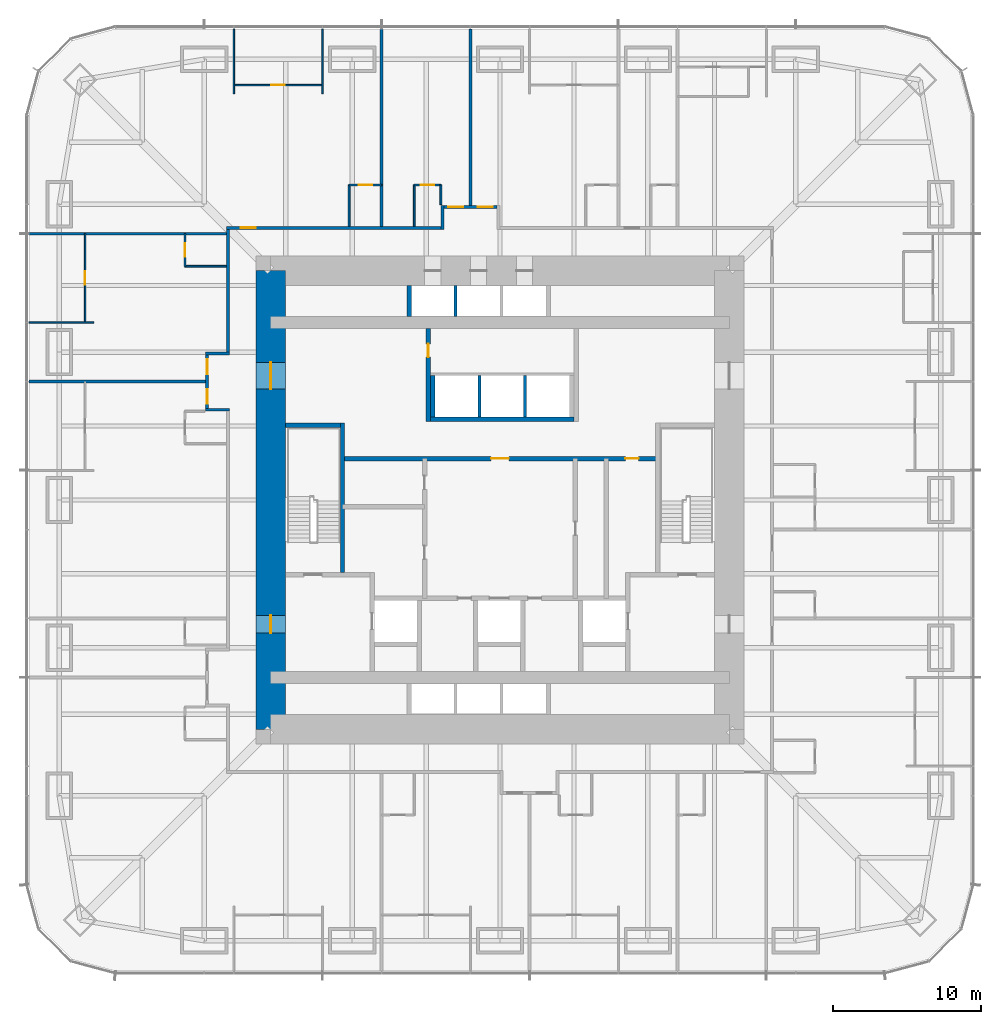
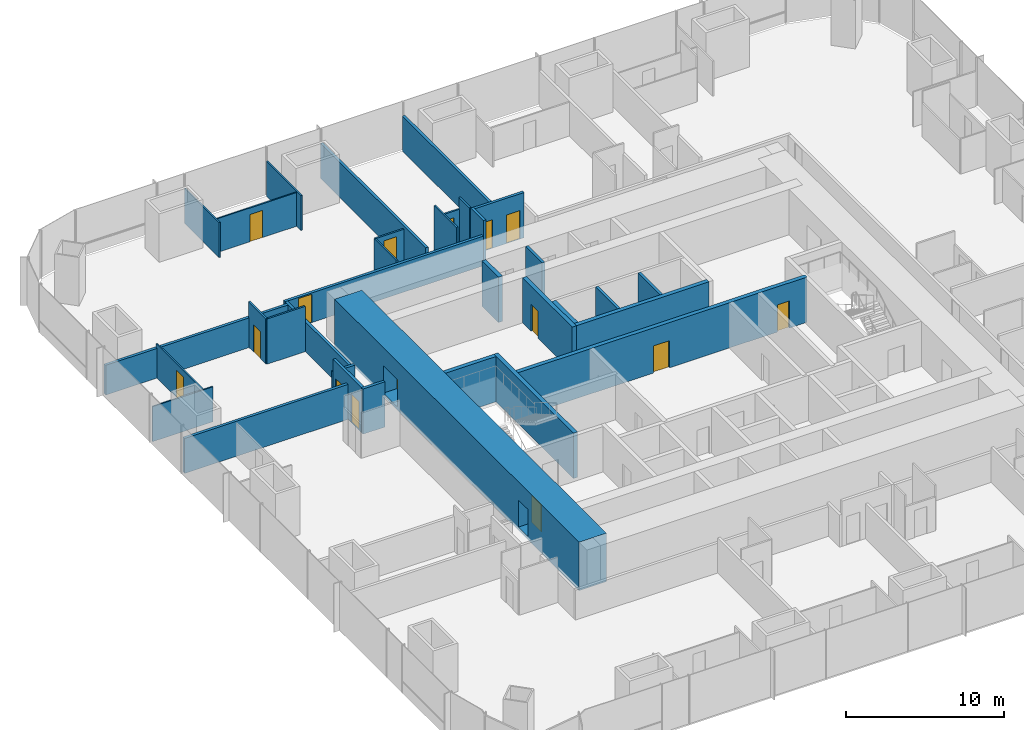
# One storey, part 17 of 20: 34 walls, 15 doors, 15 openings.
"""IFC4 building model written with IfcOpenShell, lengths in metres."""

from ifc_helpers import new_model, si_unit, direction, frame, frame_2d, origin, place, context, subcontext, project, spatial, rectangle, extrude, material, layer, layer_set, type_object, element, fill, save


model = new_model("IFC4")

# Units and contexts
model_context = context("Model", 3, precision=1e-05, world=origin(), true_north=direction((0.0, 1.0)))
body_context = subcontext(model_context, "Body", "Model", "MODEL_VIEW")
ifc_project = project(units=[si_unit("LENGTHUNIT", "METRE"), si_unit("AREAUNIT", "SQUARE_METRE"), si_unit("VOLUMEUNIT", "CUBIC_METRE"), si_unit("PLANEANGLEUNIT", "RADIAN"), si_unit("MASSUNIT", "GRAM", prefix="KILO")], contexts=[model_context])

# Site, building, storey
site_placement = place(None, origin())
site = spatial("IfcSite", under=ifc_project, at=site_placement, CompositionType="ELEMENT")
building_placement = place(site_placement, origin())
building = spatial("IfcBuilding", under=site, at=building_placement, Name="Khuree Lantern Residences", CompositionType="ELEMENT")
storey_placement = place(building_placement, frame((0.0, 0.0, 28.5)))
storey = spatial("IfcBuildingStorey", under=building, at=storey_placement, Name="L06", CompositionType="ELEMENT", Elevation=28.5)

# Wall, opening, door
ifc_material_1 = material(Name="Moisture-resistant gypsum board on steel studs", Category="steel")
ifc_layer_1 = layer(ifc_material_1, 0.125)
ifc_layer_set_1 = layer_set([ifc_layer_1], Name="BATHROOM WALL BTW125")
wall_type_1 = type_object("IfcWallType", Name="BATHROOM WALL BTW125", PredefinedType="PARTITIONING", material=ifc_layer_set_1)
wall_1_placement = place(storey_placement, frame((-4.0, 21.300048828125, 0.0), z_axis=(0.0, 0.0, 1.0), x_axis=(-1.0, 0.0, 0.0)))
wall_1 = element("IfcWall", 1, at=wall_1_placement, inside=storey, type_object=wall_type_1, Name="L06 BATHROOM WALL 05", PredefinedType="PARTITIONING", context=body_context, shape_type="SweptSolid", body=[
    extrude(rectangle(XDim=1.800048828125, YDim=0.125, at=frame_2d((0.89990234375, 0.0))), origin(), (0.0, 0.0, 1.0), 2.610107421875),
])
opening_1_placement = place(wall_1_placement, frame((0.449951171875, 0.0, 0.0)))
opening_1 = element("IfcOpeningElement", 2, at=opening_1_placement, cuts=wall_1, Name="Opening 06-036", PredefinedType="OPENING", context=body_context, shape_type="SweptSolid", body=[
    extrude(rectangle(XDim=0.89990234375, YDim=2.10009765625, at=frame_2d((0.449951171875, 1.050048828125))), frame((0.0, 0.072509765625, 0.0), z_axis=(0.0, -1.0, 0.0), x_axis=(1.0, 0.0, 0.0)), (0.0, 0.0, 1.0), 0.14501953125),
])
ifc_material_2 = material(Name="Timber door leaf in hardwood frame", Category="wood")
door_type_1 = type_object("IfcDoorType", Name="BATHROOM DOOR 900X2100", OperationType="SINGLE_SWING_LEFT", PredefinedType="DOOR", material=ifc_material_2)
door_1_placement = place(opening_1_placement, origin())
door_1 = element("IfcDoor", 3, at=door_1_placement, inside=storey, type_object=door_type_1, Name="Bathroom door 06-036", OperationType="SINGLE_SWING_LEFT", OverallHeight=2.10009765625, OverallWidth=0.89990234375, PredefinedType="DOOR", context=body_context, shape_type="SweptSolid", body=[
    extrude(rectangle(XDim=0.89990234375, YDim=2.10009765625, at=frame_2d((0.449951171875, 1.050048828125))), frame((0.0, 0.02490234375, 0.0), z_axis=(0.0, -1.0, 0.0), x_axis=(1.0, 0.0, 0.0)), (0.0, 0.0, 1.0), 0.050048828125),
])
fill(opening_1, door_1)

# Walls
wall_2_placement = place(storey_placement, frame((-4.0, 19.969970703125, 0.0), z_axis=(0.0, 0.0, 1.0), x_axis=(0.0, 1.0, 0.0)))
element("IfcWall", 4, at=wall_2_placement, inside=storey, type_object=wall_type_1, Name="L06 BATHROOM WALL 05", PredefinedType="PARTITIONING", context=body_context, shape_type="SweptSolid", body=[
    extrude(rectangle(XDim=1.330078125, YDim=0.125, at=frame_2d((0.6650390625, 0.0))), origin(), (0.0, 0.0, 1.0), 3.5),
])
wall_3_placement = place(storey_placement, frame((-5.800048828125, 18.5, 0.0), z_axis=(0.0, 0.0, 1.0), x_axis=(0.0, 1.0, 0.0)))
element("IfcWall", 5, at=wall_3_placement, inside=storey, type_object=wall_type_1, Name="L06 BATHROOM WALL 05", PredefinedType="PARTITIONING", context=body_context, shape_type="SweptSolid", body=[
    extrude(rectangle(XDim=2.800048828125, YDim=0.125, at=frame_2d((1.39990234375, 0.0))), origin(), (0.0, 0.0, 1.0), 3.5),
])

# Wall, opening, door
wall_4_placement = place(storey_placement, frame((-8.0, 21.300048828125, 0.0), z_axis=(0.0, 0.0, 1.0), x_axis=(-1.0, 0.0, 0.0)))
wall_4 = element("IfcWall", 6, at=wall_4_placement, inside=storey, type_object=wall_type_1, Name="L06 BATHROOM WALL 06", PredefinedType="PARTITIONING", context=body_context, shape_type="SweptSolid", body=[
    extrude(rectangle(XDim=2.199951171875, YDim=0.125, at=frame_2d((1.10009765625, 0.0))), origin(), (0.0, 0.0, 1.0), 2.491943359375),
])
opening_2_placement = place(wall_4_placement, frame((0.64990234375, 0.0, 0.0)))
opening_2 = element("IfcOpeningElement", 7, at=opening_2_placement, cuts=wall_4, Name="Opening 06-039", PredefinedType="OPENING", context=body_context, shape_type="SweptSolid", body=[
    extrude(rectangle(XDim=0.89990234375, YDim=2.10009765625, at=frame_2d((0.449951171875, 1.050048828125))), frame((0.0, 0.072509765625, 0.0), z_axis=(0.0, -1.0, 0.0), x_axis=(1.0, 0.0, 0.0)), (0.0, 0.0, 1.0), 0.14501953125),
])
door_2_placement = place(opening_2_placement, origin())
door_2 = element("IfcDoor", 8, at=door_2_placement, inside=storey, type_object=door_type_1, Name="Bathroom door 06-039", OperationType="SINGLE_SWING_LEFT", OverallHeight=2.10009765625, OverallWidth=0.89990234375, PredefinedType="DOOR", context=body_context, shape_type="SweptSolid", body=[
    extrude(rectangle(XDim=0.89990234375, YDim=2.10009765625, at=frame_2d((0.449951171875, 1.050048828125))), frame((0.0, 0.02490234375, 0.0), z_axis=(0.0, -1.0, 0.0), x_axis=(1.0, 0.0, 0.0)), (0.0, 0.0, 1.0), 0.050048828125),
])
fill(opening_2, door_2)

# Wall
wall_5_placement = place(storey_placement, frame((-10.199951171875, 18.5, 0.0), z_axis=(0.0, 0.0, 1.0), x_axis=(0.0, 1.0, 0.0)))
element("IfcWall", 9, at=wall_5_placement, inside=storey, type_object=wall_type_1, Name="L06 BATHROOM WALL 06", PredefinedType="PARTITIONING", context=body_context, shape_type="SweptSolid", body=[
    extrude(rectangle(XDim=2.800048828125, YDim=0.125, at=frame_2d((1.39990234375, 0.0))), origin(), (0.0, 0.0, 1.0), 2.491943359375),
])

# Wall, opening, door
wall_6_placement = place(storey_placement, frame((-21.300048828125, 18.0, 0.0), z_axis=(0.0, 0.0, 1.0), x_axis=(0.0, -1.0, 0.0)))
wall_6 = element("IfcWall", 10, at=wall_6_placement, inside=storey, type_object=wall_type_1, Name="L06 BATHROOM WALL 07", PredefinedType="PARTITIONING", context=body_context, shape_type="SweptSolid", body=[
    extrude(rectangle(XDim=2.199951171875, YDim=0.125, at=frame_2d((1.10009765625, 0.0))), origin(), (0.0, 0.0, 1.0), 3.5),
])
opening_3_placement = place(wall_6_placement, frame((0.64990234375, 0.0, 0.0)))
opening_3 = element("IfcOpeningElement", 11, at=opening_3_placement, cuts=wall_6, Name="Opening 06-042", PredefinedType="OPENING", context=body_context, shape_type="SweptSolid", body=[
    extrude(rectangle(XDim=0.89990234375, YDim=2.10009765625, at=frame_2d((0.449951171875, 1.050048828125))), frame((0.0, 0.072509765625, 0.0), z_axis=(0.0, -1.0, 0.0), x_axis=(1.0, 0.0, 0.0)), (0.0, 0.0, 1.0), 0.14501953125),
])
door_3_placement = place(opening_3_placement, origin())
door_3 = element("IfcDoor", 12, at=door_3_placement, inside=storey, type_object=door_type_1, Name="Bathroom door 06-042", OperationType="SINGLE_SWING_LEFT", OverallHeight=2.10009765625, OverallWidth=0.89990234375, PredefinedType="DOOR", context=body_context, shape_type="SweptSolid", body=[
    extrude(rectangle(XDim=0.89990234375, YDim=2.10009765625, at=frame_2d((0.449951171875, 1.050048828125))), frame((0.0, 0.02490234375, 0.0), z_axis=(0.0, -1.0, 0.0), x_axis=(1.0, 0.0, 0.0)), (0.0, 0.0, 1.0), 0.050048828125),
])
fill(opening_3, door_3)

# Walls
wall_7_placement = place(storey_placement, frame((-18.5, 15.800048828125, 0.0), z_axis=(0.0, 0.0, 1.0), x_axis=(-1.0, 0.0, 0.0)))
element("IfcWall", 13, at=wall_7_placement, inside=storey, type_object=wall_type_1, Name="L06 BATHROOM WALL 07", PredefinedType="PARTITIONING", context=body_context, shape_type="SweptSolid", body=[
    extrude(rectangle(XDim=2.800048828125, YDim=0.125, at=frame_2d((1.39990234375, 0.0))), origin(), (0.0, 0.0, 1.0), 3.5),
])
ifc_material_3 = material(Name="Dense concrete blockwork", Category="masonry")
ifc_layer_2 = layer(ifc_material_3, 0.300048828125)
ifc_layer_set_2 = layer_set([ifc_layer_2], Name="CORE PARTITION WALL CPW300 EI 120")
wall_type_2 = type_object("IfcWallType", Name="CORE PARTITION WALL CPW300 EI 120", PredefinedType="PARTITIONING", material=ifc_layer_set_2)
wall_8_placement = place(storey_placement, frame((-4.699951171875, 5.449951171875, 0.0), z_axis=(0.0, 0.0, 1.0), x_axis=(1.0, 0.0, 0.0)))
element("IfcWall", 14, at=wall_8_placement, inside=storey, type_object=wall_type_2, Name="L06 CORE WALL PHS", PredefinedType="PARTITIONING", context=body_context, shape_type="SweptSolid", body=[
    extrude(rectangle(XDim=9.699951171875, YDim=0.300048828125, at=frame_2d((4.85009765625, 0.0))), origin(), (0.0, 0.0, 1.0), 3.5),
])
wall_9_placement = place(storey_placement, frame((-4.550048828125, 5.60009765625, 0.0), z_axis=(0.0, 0.0, 1.0), x_axis=(0.0, 1.0, 0.0)))
element("IfcWall", 15, at=wall_9_placement, inside=storey, type_object=wall_type_2, Name="L06 CORE WALL PHW", PredefinedType="PARTITIONING", context=body_context, shape_type="SweptSolid", body=[
    extrude(rectangle(XDim=2.7998046875, YDim=0.300048828125, at=frame_2d((1.39990234375, 0.0))), origin(), (0.0, 0.0, 1.0), 3.5),
])
wall_10_placement = place(storey_placement, frame((-6.14990234375, 12.39990234375, 0.0), z_axis=(0.0, 0.0, 1.0), x_axis=(0.0, 1.0, 0.0)))
element("IfcWall", 16, at=wall_10_placement, inside=storey, type_object=wall_type_2, Name="L06 CORE WALL PLW", PredefinedType="PARTITIONING", context=body_context, shape_type="SweptSolid", body=[
    extrude(rectangle(XDim=2.10009765625, YDim=0.300048828125, at=frame_2d((1.050048828125, 0.0))), origin(), (0.0, 0.0, 1.0), 3.5),
])

# Wall, openings, doors
wall_11_placement = place(storey_placement, frame((-10.64990234375, 2.800048828125, 0.0), z_axis=(0.0, 0.0, 1.0), x_axis=(1.0, 0.0, 0.0)))
wall_11 = element("IfcWall", 17, at=wall_11_placement, inside=storey, type_object=wall_type_2, Name="L06 CORE WALL LLS", PredefinedType="PARTITIONING", context=body_context, shape_type="SweptSolid", body=[
    extrude(rectangle(XDim=21.2998046875, YDim=0.300048828125, at=frame_2d((10.64990234375, 0.0))), origin(), (0.0, 0.0, 1.0), 3.5),
])
opening_4_placement = place(wall_11_placement, frame((10.050048828125, 0.0, 0.0)))
opening_4 = element("IfcOpeningElement", 18, at=opening_4_placement, cuts=wall_11, Name="Opening 06-013", PredefinedType="OPENING", context=body_context, shape_type="SweptSolid", body=[
    extrude(rectangle(XDim=1.199951171875, YDim=2.10009765625, at=frame_2d((0.60009765625, 1.050048828125))), frame((0.0, 0.16015625, 0.0), z_axis=(0.0, -1.0, 0.0), x_axis=(1.0, 0.0, 0.0)), (0.0, 0.0, 1.0), 0.320068359375),
])
opening_5_placement = place(wall_11_placement, frame((19.12109375, 0.0, 0.0)))
opening_5 = element("IfcOpeningElement", 19, at=opening_5_placement, cuts=wall_11, Name="Opening 06-019", PredefinedType="OPENING", context=body_context, shape_type="SweptSolid", body=[
    extrude(rectangle(XDim=0.89990234375, YDim=2.10009765625, at=frame_2d((0.449951171875, 1.050048828125))), frame((0.0, 0.16015625, 0.0), z_axis=(0.0, -1.0, 0.0), x_axis=(1.0, 0.0, 0.0)), (0.0, 0.0, 1.0), 0.320068359375),
])
ifc_material_4 = material(Name="Steel door leaf in steel frame", Category="steel")
door_type_2 = type_object("IfcDoorType", Name="DOOR 1200X2100 EI 60", OperationType="SINGLE_SWING_LEFT", PredefinedType="DOOR", material=ifc_material_4)
door_4_placement = place(opening_4_placement, origin())
door_4 = element("IfcDoor", 20, at=door_4_placement, inside=storey, type_object=door_type_2, Name="Service lift lobby door 06-013", OperationType="SINGLE_SWING_LEFT", OverallHeight=2.10009765625, OverallWidth=1.199951171875, PredefinedType="DOOR", context=body_context, shape_type="SweptSolid", body=[
    extrude(rectangle(XDim=1.199951171875, YDim=2.10009765625, at=frame_2d((0.60009765625, 1.050048828125))), frame((0.0, 0.02490234375, 0.0), z_axis=(0.0, -1.0, 0.0), x_axis=(1.0, 0.0, 0.0)), (0.0, 0.0, 1.0), 0.050048828125),
])
fill(opening_4, door_4)
door_type_3 = type_object("IfcDoorType", Name="DOOR 900X2100 RIGHT HAND", OperationType="SINGLE_SWING_RIGHT", PredefinedType="DOOR", material=ifc_material_2)
door_5_placement = place(opening_5_placement, origin())
door_5 = element("IfcDoor", 21, at=door_5_placement, inside=storey, type_object=door_type_3, Name="Residents' store door 06-019", OperationType="SINGLE_SWING_RIGHT", OverallHeight=2.10009765625, OverallWidth=0.89990234375, PredefinedType="DOOR", context=body_context, shape_type="SweptSolid", body=[
    extrude(rectangle(XDim=0.89990234375, YDim=2.10009765625, at=frame_2d((0.449951171875, 1.050048828125))), frame((0.0, 0.02490234375, 0.0), z_axis=(0.0, -1.0, 0.0), x_axis=(1.0, 0.0, 0.0)), (0.0, 0.0, 1.0), 0.050048828125),
])
fill(opening_5, door_5)

# Wall, opening, door
wall_12_placement = place(storey_placement, frame((-4.85009765625, 5.300048828125, 0.0), z_axis=(0.0, 0.0, 1.0), x_axis=(0.0, 1.0, 0.0)))
wall_12 = element("IfcWall", 22, at=wall_12_placement, inside=storey, type_object=wall_type_2, Name="L06 CORE WALL NW", PredefinedType="PARTITIONING", context=body_context, shape_type="SweptSolid", body=[
    extrude(rectangle(XDim=6.300048828125, YDim=0.300048828125, at=frame_2d((3.14990234375, 0.0))), origin(), (0.0, 0.0, 1.0), 3.5),
])
opening_6_placement = place(wall_12_placement, frame((4.35009765625, 0.0, 0.0)))
opening_6 = element("IfcOpeningElement", 23, at=opening_6_placement, cuts=wall_12, Name="Opening 06-020", PredefinedType="OPENING", context=body_context, shape_type="SweptSolid", body=[
    extrude(rectangle(XDim=0.89990234375, YDim=2.10009765625, at=frame_2d((0.449951171875, 1.050048828125))), frame((0.0, 0.16015625, 0.0), z_axis=(0.0, -1.0, 0.0), x_axis=(1.0, 0.0, 0.0)), (0.0, 0.0, 1.0), 0.320068359375),
])
door_6_placement = place(opening_6_placement, origin())
door_6 = element("IfcDoor", 24, at=door_6_placement, inside=storey, type_object=door_type_3, Name="Residents' store door 06-020", OperationType="SINGLE_SWING_RIGHT", OverallHeight=2.10009765625, OverallWidth=0.89990234375, PredefinedType="DOOR", context=body_context, shape_type="SweptSolid", body=[
    extrude(rectangle(XDim=0.89990234375, YDim=2.10009765625, at=frame_2d((0.449951171875, 1.050048828125))), frame((0.0, 0.02490234375, 0.0), z_axis=(0.0, -1.0, 0.0), x_axis=(1.0, 0.0, 0.0)), (0.0, 0.0, 1.0), 0.050048828125),
])
fill(opening_6, door_6)

ifc_material_5 = material(Name="Gypsum board on steel studs", Category="steel")
ifc_layer_3 = layer(ifc_material_5, 0.199951171875)
ifc_layer_set_3 = layer_set([ifc_layer_3], Name="CORRIDOR WALL CRW200 EI 60")
wall_type_3 = type_object("IfcWallType", Name="CORRIDOR WALL CRW200 EI 60", PredefinedType="PARTITIONING", material=ifc_layer_set_3)
wall_13_placement = place(storey_placement, frame((-18.5, 18.39990234375, 0.0), z_axis=(0.0, 0.0, 1.0), x_axis=(1.0, 0.0, 0.0)))
wall_13 = element("IfcWall", 25, at=wall_13_placement, inside=storey, type_object=wall_type_3, Name="L06 CORRIDOR WALL NORTH 1", PredefinedType="PARTITIONING", context=body_context, shape_type="SweptSolid", body=[
    extrude(rectangle(XDim=14.5, YDim=0.199951171875, at=frame_2d((7.25, 0.0))), origin(), (0.0, 0.0, 1.0), 2.300048828125),
])
opening_7_placement = place(wall_13_placement, frame((0.97998046875, 0.0, 0.0)))
opening_7 = element("IfcOpeningElement", 26, at=opening_7_placement, cuts=wall_13, Name="Opening 06-040", PredefinedType="OPENING", context=body_context, shape_type="SweptSolid", body=[
    extrude(rectangle(XDim=1.0, YDim=2.199951171875, at=frame_2d((0.5, 1.10009765625))), frame((0.0, 0.10986328125, 0.0), z_axis=(0.0, -1.0, 0.0), x_axis=(1.0, 0.0, 0.0)), (0.0, 0.0, 1.0), 0.219970703125),
])
door_type_4 = type_object("IfcDoorType", Name="APARTMENT ENTRANCE DOOR 1000X2200 EI 30S", OperationType="SINGLE_SWING_LEFT", PredefinedType="DOOR", material=ifc_material_2)
door_7_placement = place(opening_7_placement, origin())
door_7 = element("IfcDoor", 27, at=door_7_placement, inside=storey, type_object=door_type_4, Name="Apartment 06 entrance door 06-040", OperationType="SINGLE_SWING_LEFT", OverallHeight=2.199951171875, OverallWidth=1.0, PredefinedType="DOOR", context=body_context, shape_type="SweptSolid", body=[
    extrude(rectangle(XDim=1.0, YDim=2.199951171875, at=frame_2d((0.5, 1.10009765625))), frame((0.0, 0.02490234375, 0.0), z_axis=(0.0, -1.0, 0.0), x_axis=(1.0, 0.0, 0.0)), (0.0, 0.0, 1.0), 0.050048828125),
])
fill(opening_7, door_7)

# Wall
wall_14_placement = place(storey_placement, frame((-3.89990234375, 18.300048828125, 0.0), z_axis=(0.0, 0.0, 1.0), x_axis=(0.0, 1.0, 0.0)))
element("IfcWall", 28, at=wall_14_placement, inside=storey, type_object=wall_type_3, Name="L06 CORRIDOR ALCOVE WALL NORTH", PredefinedType="PARTITIONING", context=body_context, shape_type="SweptSolid", body=[
    extrude(rectangle(XDim=1.599853515625, YDim=0.199951171875, at=frame_2d((0.7998046875, 0.0))), origin(), (0.0, 0.0, 1.0), 3.5),
])

# Wall, openings, doors
wall_15_placement = place(storey_placement, frame((-3.800048828125, 19.800048828125, 0.0), z_axis=(0.0, 0.0, 1.0), x_axis=(1.0, 0.0, 0.0)))
wall_15 = element("IfcWall", 29, at=wall_15_placement, inside=storey, type_object=wall_type_3, Name="L06 CORRIDOR ALCOVE WALL NORTH", PredefinedType="PARTITIONING", context=body_context, shape_type="SweptSolid", body=[
    extrude(rectangle(XDim=3.60009765625, YDim=0.199951171875, at=frame_2d((1.800048828125, 0.0))), origin(), (0.0, 0.0, 1.0), 3.5),
])
opening_8_placement = place(wall_15_placement, frame((2.300048828125, 0.0, 0.0)))
opening_8 = element("IfcOpeningElement", 30, at=opening_8_placement, cuts=wall_15, Name="Opening 06-035", PredefinedType="OPENING", context=body_context, shape_type="SweptSolid", body=[
    extrude(rectangle(XDim=1.0, YDim=2.199951171875, at=frame_2d((0.5, 1.10009765625))), frame((0.0, 0.10986328125, 0.0), z_axis=(0.0, -1.0, 0.0), x_axis=(1.0, 0.0, 0.0)), (0.0, 0.0, 1.0), 0.219970703125),
])
opening_9_placement = place(wall_15_placement, frame((0.300048828125, 0.0, 0.0)))
opening_9 = element("IfcOpeningElement", 31, at=opening_9_placement, cuts=wall_15, Name="Opening 06-037", PredefinedType="OPENING", context=body_context, shape_type="SweptSolid", body=[
    extrude(rectangle(XDim=1.0, YDim=2.199951171875, at=frame_2d((0.5, 1.10009765625))), frame((0.0, 0.10986328125, 0.0), z_axis=(0.0, -1.0, 0.0), x_axis=(1.0, 0.0, 0.0)), (0.0, 0.0, 1.0), 0.219970703125),
])
door_8_placement = place(opening_8_placement, origin())
door_8 = element("IfcDoor", 32, at=door_8_placement, inside=storey, type_object=door_type_4, Name="Apartment 04 entrance door 06-035", OperationType="SINGLE_SWING_LEFT", OverallHeight=2.199951171875, OverallWidth=1.0, PredefinedType="DOOR", context=body_context, shape_type="SweptSolid", body=[
    extrude(rectangle(XDim=1.0, YDim=2.199951171875, at=frame_2d((0.5, 1.10009765625))), frame((0.0, 0.02490234375, 0.0), z_axis=(0.0, -1.0, 0.0), x_axis=(1.0, 0.0, 0.0)), (0.0, 0.0, 1.0), 0.050048828125),
])
fill(opening_8, door_8)
door_9_placement = place(opening_9_placement, origin())
door_9 = element("IfcDoor", 33, at=door_9_placement, inside=storey, type_object=door_type_4, Name="Apartment 05 entrance door 06-037", OperationType="SINGLE_SWING_LEFT", OverallHeight=2.199951171875, OverallWidth=1.0, PredefinedType="DOOR", context=body_context, shape_type="SweptSolid", body=[
    extrude(rectangle(XDim=1.0, YDim=2.199951171875, at=frame_2d((0.5, 1.10009765625))), frame((0.0, 0.02490234375, 0.0), z_axis=(0.0, -1.0, 0.0), x_axis=(1.0, 0.0, 0.0)), (0.0, 0.0, 1.0), 0.050048828125),
])
fill(opening_9, door_9)

# Walls
wall_16_placement = place(storey_placement, frame((-18.39990234375, 18.300048828125, 0.0), z_axis=(0.0, 0.0, 1.0), x_axis=(0.0, -1.0, 0.0)))
element("IfcWall", 34, at=wall_16_placement, inside=storey, type_object=wall_type_3, Name="L06 CORRIDOR WALL WEST 1", PredefinedType="PARTITIONING", context=body_context, shape_type="SweptSolid", body=[
    extrude(rectangle(XDim=8.300048828125, YDim=0.199951171875, at=frame_2d((4.14990234375, 0.0))), origin(), (0.0, 0.0, 1.0), 2.300048828125),
])
wall_17_placement = place(storey_placement, frame((-18.300048828125, 9.89990234375, 0.0), z_axis=(0.0, 0.0, 1.0), x_axis=(-1.0, 0.0, 0.0)))
element("IfcWall", 35, at=wall_17_placement, inside=storey, type_object=wall_type_3, Name="L06 CORRIDOR ALCOVE WALL WEST", PredefinedType="PARTITIONING", context=body_context, shape_type="SweptSolid", body=[
    extrude(rectangle(XDim=1.599853515625, YDim=0.199951171875, at=frame_2d((0.7998046875, 0.0))), origin(), (0.0, 0.0, 1.0), 2.491943359375),
])
wall_18_placement = place(storey_placement, frame((-18.300048828125, 6.10009765625, 0.0), z_axis=(0.0, 0.0, 1.0), x_axis=(-1.0, 0.0, 0.0)))
element("IfcWall", 36, at=wall_18_placement, inside=storey, type_object=wall_type_3, Name="L06 CORRIDOR ALCOVE WALL WEST", PredefinedType="PARTITIONING", context=body_context, shape_type="SweptSolid", body=[
    extrude(rectangle(XDim=1.599853515625, YDim=0.199951171875, at=frame_2d((0.7998046875, 0.0))), origin(), (0.0, 0.0, 1.0), 3.5),
])

# Wall, openings, doors
wall_19_placement = place(storey_placement, frame((-19.800048828125, 9.800048828125, 0.0), z_axis=(0.0, 0.0, 1.0), x_axis=(0.0, -1.0, 0.0)))
wall_19 = element("IfcWall", 37, at=wall_19_placement, inside=storey, type_object=wall_type_3, Name="L06 CORRIDOR ALCOVE WALL WEST", PredefinedType="PARTITIONING", context=body_context, shape_type="SweptSolid", body=[
    extrude(rectangle(XDim=3.60009765625, YDim=0.199951171875, at=frame_2d((1.800048828125, 0.0))), origin(), (0.0, 0.0, 1.0), 3.5),
])
opening_10_placement = place(wall_19_placement, frame((0.300048828125, 0.0, 0.0)))
opening_10 = element("IfcOpeningElement", 38, at=opening_10_placement, cuts=wall_19, Name="Opening 06-043", PredefinedType="OPENING", context=body_context, shape_type="SweptSolid", body=[
    extrude(rectangle(XDim=1.0, YDim=2.199951171875, at=frame_2d((0.5, 1.10009765625))), frame((0.0, 0.10986328125, 0.0), z_axis=(0.0, -1.0, 0.0), x_axis=(1.0, 0.0, 0.0)), (0.0, 0.0, 1.0), 0.219970703125),
])
opening_11_placement = place(wall_19_placement, frame((2.300048828125, 0.0, 0.0)))
opening_11 = element("IfcOpeningElement", 39, at=opening_11_placement, cuts=wall_19, Name="Opening 06-046", PredefinedType="OPENING", context=body_context, shape_type="SweptSolid", body=[
    extrude(rectangle(XDim=1.0, YDim=2.199951171875, at=frame_2d((0.5, 1.10009765625))), frame((0.0, 0.10986328125, 0.0), z_axis=(0.0, -1.0, 0.0), x_axis=(1.0, 0.0, 0.0)), (0.0, 0.0, 1.0), 0.219970703125),
])
door_10_placement = place(opening_10_placement, origin())
door_10 = element("IfcDoor", 40, at=door_10_placement, inside=storey, type_object=door_type_4, Name="Apartment 07 entrance door 06-043", OperationType="SINGLE_SWING_LEFT", OverallHeight=2.199951171875, OverallWidth=1.0, PredefinedType="DOOR", context=body_context, shape_type="SweptSolid", body=[
    extrude(rectangle(XDim=1.0, YDim=2.199951171875, at=frame_2d((0.5, 1.10009765625))), frame((0.0, 0.02490234375, 0.0), z_axis=(0.0, -1.0, 0.0), x_axis=(1.0, 0.0, 0.0)), (0.0, 0.0, 1.0), 0.050048828125),
])
fill(opening_10, door_10)
door_type_5 = type_object("IfcDoorType", Name="APARTMENT ENTRANCE DOOR 1000X2200 EI 30S RIGHT HAND", OperationType="SINGLE_SWING_RIGHT", PredefinedType="DOOR", material=ifc_material_2)
door_11_placement = place(opening_11_placement, origin())
door_11 = element("IfcDoor", 41, at=door_11_placement, inside=storey, type_object=door_type_5, Name="Apartment 08 entrance door 06-046", OperationType="SINGLE_SWING_RIGHT", OverallHeight=2.199951171875, OverallWidth=1.0, PredefinedType="DOOR", context=body_context, shape_type="SweptSolid", body=[
    extrude(rectangle(XDim=1.0, YDim=2.199951171875, at=frame_2d((0.5, 1.10009765625))), frame((0.0, 0.02490234375, 0.0), z_axis=(0.0, -1.0, 0.0), x_axis=(1.0, 0.0, 0.0)), (0.0, 0.0, 1.0), 0.050048828125),
])
fill(opening_11, door_11)

ifc_material_6 = material(Name="Concrete C70/85", Category="concrete")
ifc_layer_4 = layer(ifc_material_6, 2.0)
ifc_layer_set_4 = layer_set([ifc_layer_4], Name="CW2000-C70 CORE WALL C70 2000")
wall_type_4 = type_object("IfcWallType", Name="CW2000-C70 CORE WALL C70 2000", PredefinedType="SHEAR", material=ifc_layer_set_4)
wall_20_placement = place(storey_placement, frame((-15.5, -15.5, -0.25), z_axis=(0.0, 0.0, 1.0), x_axis=(0.0, 1.0, 0.0)))
wall_20 = element("IfcWall", 42, at=wall_20_placement, inside=storey, type_object=wall_type_4, Name="Core wall W", PredefinedType="SHEAR", context=body_context, shape_type="SweptSolid", body=[
    extrude(rectangle(XDim=31.0, YDim=2.0, at=frame_2d((15.5, 0.0))), origin(), (0.0, 0.0, 1.0), 3.75),
])
opening_12_placement = place(wall_20_placement, frame((6.5, 0.0, 0.25)))
opening_12 = element("IfcOpeningElement", 43, at=opening_12_placement, cuts=wall_20, Name="Opening 06-002", PredefinedType="OPENING", context=body_context, shape_type="SweptSolid", body=[
    extrude(rectangle(XDim=1.199951171875, YDim=2.10009765625, at=frame_2d((0.60009765625, 1.050048828125))), frame((0.0, 1.010009765625, 0.0), z_axis=(0.0, -1.0, 0.0), x_axis=(1.0, 0.0, 0.0)), (0.0, 0.0, 1.0), 2.02001953125),
])
opening_13_placement = place(wall_20_placement, frame((23.0, 0.0, 0.25)))
opening_13 = element("IfcOpeningElement", 44, at=opening_13_placement, cuts=wall_20, Name="Opening 06-003", PredefinedType="OPENING", context=body_context, shape_type="SweptSolid", body=[
    extrude(rectangle(XDim=1.800048828125, YDim=2.10009765625, at=frame_2d((0.89990234375, 1.050048828125))), frame((0.0, 1.010009765625, 0.0), z_axis=(0.0, -1.0, 0.0), x_axis=(1.0, 0.0, 0.0)), (0.0, 0.0, 1.0), 2.02001953125),
])
door_type_6 = type_object("IfcDoorType", Name="LOBBY DOOR 1200X2100 EI 120", OperationType="SINGLE_SWING_LEFT", PredefinedType="DOOR", material=ifc_material_4)
door_12_placement = place(opening_12_placement, origin())
door_12 = element("IfcDoor", 45, at=door_12_placement, inside=storey, type_object=door_type_6, Name="Firefighting lobby door 06-002", OperationType="SINGLE_SWING_LEFT", OverallHeight=2.10009765625, OverallWidth=1.199951171875, PredefinedType="DOOR", context=body_context, shape_type="SweptSolid", body=[
    extrude(rectangle(XDim=1.199951171875, YDim=2.10009765625, at=frame_2d((0.60009765625, 1.050048828125))), frame((0.0, 0.02490234375, 0.0), z_axis=(0.0, -1.0, 0.0), x_axis=(1.0, 0.0, 0.0)), (0.0, 0.0, 1.0), 0.050048828125),
])
fill(opening_12, door_12)
door_type_7 = type_object("IfcDoorType", Name="LOBBY DOUBLE DOOR 1800X2100 EI 60", OperationType="DOUBLE_DOOR_SINGLE_SWING", PredefinedType="DOOR", material=ifc_material_4)
door_13_placement = place(opening_13_placement, origin())
door_13 = element("IfcDoor", 46, at=door_13_placement, inside=storey, type_object=door_type_7, Name="Lift lobby door 06-003", OperationType="DOUBLE_DOOR_SINGLE_SWING", OverallHeight=2.10009765625, OverallWidth=1.800048828125, PredefinedType="DOOR", context=body_context, shape_type="SweptSolid", body=[
    extrude(rectangle(XDim=1.800048828125, YDim=2.10009765625, at=frame_2d((0.89990234375, 1.050048828125))), frame((0.0, 0.02490234375, 0.0), z_axis=(0.0, -1.0, 0.0), x_axis=(1.0, 0.0, 0.0)), (0.0, 0.0, 1.0), 0.050048828125),
])
fill(opening_13, door_13)

# Walls
ifc_layer_5 = layer(ifc_material_5, 0.199951171875)
ifc_layer_set_5 = layer_set([ifc_layer_5], Name="DEMISING WALL DMW200 EI 90")
wall_type_5 = type_object("IfcWallType", Name="DEMISING WALL DMW200 EI 90", PredefinedType="PARTITIONING", material=ifc_layer_set_5)
wall_21_placement = place(storey_placement, frame((-2.0, 19.89990234375, 0.0), z_axis=(0.0, 0.0, 1.0), x_axis=(0.0, 1.0, 0.0)))
element("IfcWall", 47, at=wall_21_placement, inside=storey, type_object=wall_type_5, Name="L06 DEMISING WALL 05", PredefinedType="PARTITIONING", context=body_context, shape_type="SweptSolid", body=[
    extrude(rectangle(XDim=11.9501953125, YDim=0.199951171875, at=frame_2d((5.97509765625, 0.0))), origin(), (0.0, 0.0, 1.0), 2.7099609375),
])
wall_22_placement = place(storey_placement, frame((-8.0, 18.5, 0.0), z_axis=(0.0, 0.0, 1.0), x_axis=(0.0, 1.0, 0.0)))
element("IfcWall", 48, at=wall_22_placement, inside=storey, type_object=wall_type_5, Name="L06 DEMISING WALL 06", PredefinedType="PARTITIONING", context=body_context, shape_type="SweptSolid", body=[
    extrude(rectangle(XDim=13.35009765625, YDim=0.199951171875, at=frame_2d((6.675048828125, 0.0))), origin(), (0.0, 0.0, 1.0), 2.7099609375),
])
wall_23_placement = place(storey_placement, frame((-18.5, 18.0, 0.0), z_axis=(0.0, 0.0, 1.0), x_axis=(-1.0, 0.0, 0.0)))
element("IfcWall", 49, at=wall_23_placement, inside=storey, type_object=wall_type_5, Name="L06 DEMISING WALL 07", PredefinedType="PARTITIONING", context=body_context, shape_type="SweptSolid", body=[
    extrude(rectangle(XDim=13.35009765625, YDim=0.199951171875, at=frame_2d((6.675048828125, 0.0))), origin(), (0.0, 0.0, 1.0), 2.300048828125),
])
wall_24_placement = place(storey_placement, frame((-19.89990234375, 8.0, 0.0), z_axis=(0.0, 0.0, 1.0), x_axis=(-1.0, 0.0, 0.0)))
element("IfcWall", 50, at=wall_24_placement, inside=storey, type_object=wall_type_5, Name="L06 DEMISING WALL 08", PredefinedType="PARTITIONING", context=body_context, shape_type="SweptSolid", body=[
    extrude(rectangle(XDim=11.9501953125, YDim=0.199951171875, at=frame_2d((5.97509765625, 0.0))), origin(), (0.0, 0.0, 1.0), 2.7099609375),
])
ifc_layer_6 = layer(ifc_material_5, 0.10009765625)
ifc_layer_set_6 = layer_set([ifc_layer_6], Name="PARTITION PT100")
wall_type_6 = type_object("IfcWallType", Name="PARTITION PT100", PredefinedType="PARTITIONING", material=ifc_layer_set_6)
for number, where, z_axis, x_axis, name in (
    (51, (-12.0, 27.449951171875, 0.0), (0.0, 0.0, 1.0), (0.0, 1.0, 0.0), "L06 PARTITION 06"),
    (52, (-18.0, 27.449951171875, 0.0), (0.0, 0.0, 1.0), (0.0, 1.0, 0.0), "L06 PARTITION 06"),
    (53, (-27.449951171875, 12.0, 0.0), (0.0, 0.0, 1.0), (-1.0, 0.0, 0.0), "L06 PARTITION 07"),
):
    element("IfcWall", number, at=place(storey_placement, frame(where, z_axis=z_axis, x_axis=x_axis)), inside=storey, type_object=wall_type_6, Name=name, PredefinedType="PARTITIONING", context=body_context, shape_type="SweptSolid", body=[
        extrude(rectangle(XDim=4.400146484375, YDim=0.10009765625, at=frame_2d((2.2001953125, 0.0))), origin(), (0.0, 0.0, 1.0), 2.7099609375),
    ])

# Wall, opening, door
wall_25_placement = place(storey_placement, frame((-12.0, 28.050048828125, 0.0), z_axis=(0.0, 0.0, 1.0), x_axis=(-1.0, 0.0, 0.0)))
wall_25 = element("IfcWall", 54, at=wall_25_placement, inside=storey, type_object=wall_type_6, Name="L06 PARTITION 06", PredefinedType="PARTITIONING", context=body_context, shape_type="SweptSolid", body=[
    extrude(rectangle(XDim=6.0, YDim=0.10009765625, at=frame_2d((3.0, 0.0))), origin(), (0.0, 0.0, 1.0), 2.610107421875),
])
opening_14_placement = place(wall_25_placement, frame((2.550048828125, 0.0, 0.0)))
opening_14 = element("IfcOpeningElement", 55, at=opening_14_placement, cuts=wall_25, Name="Opening 06-038", PredefinedType="OPENING", context=body_context, shape_type="SweptSolid", body=[
    extrude(rectangle(XDim=0.89990234375, YDim=2.10009765625, at=frame_2d((0.449951171875, 1.050048828125))), frame((0.0, 0.06005859375, 0.0), z_axis=(0.0, -1.0, 0.0), x_axis=(1.0, 0.0, 0.0)), (0.0, 0.0, 1.0), 0.1201171875),
])
door_type_8 = type_object("IfcDoorType", Name="BEDROOM DOOR 900X2100", OperationType="SINGLE_SWING_LEFT", PredefinedType="DOOR", material=ifc_material_2)
door_14_placement = place(opening_14_placement, origin())
door_14 = element("IfcDoor", 56, at=door_14_placement, inside=storey, type_object=door_type_8, Name="Bedroom door 06-038", OperationType="SINGLE_SWING_LEFT", OverallHeight=2.10009765625, OverallWidth=0.89990234375, PredefinedType="DOOR", context=body_context, shape_type="SweptSolid", body=[
    extrude(rectangle(XDim=0.89990234375, YDim=2.10009765625, at=frame_2d((0.449951171875, 1.050048828125))), frame((0.0, 0.02490234375, 0.0), z_axis=(0.0, -1.0, 0.0), x_axis=(1.0, 0.0, 0.0)), (0.0, 0.0, 1.0), 0.050048828125),
])
fill(opening_14, door_14)

wall_26_placement = place(storey_placement, frame((-28.050048828125, 18.0, 0.0), z_axis=(0.0, 0.0, 1.0), x_axis=(0.0, -1.0, 0.0)))
wall_26 = element("IfcWall", 57, at=wall_26_placement, inside=storey, type_object=wall_type_6, Name="L06 PARTITION 07", PredefinedType="PARTITIONING", context=body_context, shape_type="SweptSolid", body=[
    extrude(rectangle(XDim=6.0, YDim=0.10009765625, at=frame_2d((3.0, 0.0))), origin(), (0.0, 0.0, 1.0), 2.610107421875),
])
opening_15_placement = place(wall_26_placement, frame((2.550048828125, 0.0, 0.0)))
opening_15 = element("IfcOpeningElement", 58, at=opening_15_placement, cuts=wall_26, Name="Opening 06-041", PredefinedType="OPENING", context=body_context, shape_type="SweptSolid", body=[
    extrude(rectangle(XDim=0.89990234375, YDim=2.10009765625, at=frame_2d((0.449951171875, 1.050048828125))), frame((0.0, 0.06005859375, 0.0), z_axis=(0.0, -1.0, 0.0), x_axis=(1.0, 0.0, 0.0)), (0.0, 0.0, 1.0), 0.1201171875),
])
door_15_placement = place(opening_15_placement, origin())
door_15 = element("IfcDoor", 59, at=door_15_placement, inside=storey, type_object=door_type_8, Name="Bedroom door 06-041", OperationType="SINGLE_SWING_LEFT", OverallHeight=2.10009765625, OverallWidth=0.89990234375, PredefinedType="DOOR", context=body_context, shape_type="SweptSolid", body=[
    extrude(rectangle(XDim=0.89990234375, YDim=2.10009765625, at=frame_2d((0.449951171875, 1.050048828125))), frame((0.0, 0.02490234375, 0.0), z_axis=(0.0, -1.0, 0.0), x_axis=(1.0, 0.0, 0.0)), (0.0, 0.0, 1.0), 0.050048828125),
])
fill(opening_15, door_15)

# Walls
ifc_layer_7 = layer(ifc_material_3, 0.199951171875)
ifc_layer_set_7 = layer_set([ifc_layer_7], Name="SHAFT WALL SHW200 EI 120")
wall_type_7 = type_object("IfcWallType", Name="SHAFT WALL SHW200 EI 120", PredefinedType="PARTITIONING", material=ifc_layer_set_7)
for number, where, z_axis, x_axis, name in (
    (60, (-1.39990234375, 5.60009765625, 0.0), (0.0, 0.0, 1.0), (0.0, 1.0, 0.0), "L06 CORE WALL PHD1"),
    (61, (1.699951171875, 5.60009765625, 0.0), (0.0, 0.0, 1.0), (0.0, 1.0, 0.0), "L06 CORE WALL PHD2"),
):
    element("IfcWall", number, at=place(storey_placement, frame(where, z_axis=z_axis, x_axis=x_axis)), inside=storey, type_object=wall_type_7, Name=name, PredefinedType="PARTITIONING", context=body_context, shape_type="SweptSolid", body=[
        extrude(rectangle(XDim=2.7998046875, YDim=0.199951171875, at=frame_2d((1.39990234375, 0.0))), origin(), (0.0, 0.0, 1.0), 3.5),
    ])
wall_27_placement = place(storey_placement, frame((-3.0, 12.39990234375, 0.0), z_axis=(0.0, 0.0, 1.0), x_axis=(0.0, 1.0, 0.0)))
element("IfcWall", 62, at=wall_27_placement, inside=storey, type_object=wall_type_7, Name="L06 CORE WALL PLD1", PredefinedType="PARTITIONING", context=body_context, shape_type="SweptSolid", body=[
    extrude(rectangle(XDim=2.10009765625, YDim=0.199951171875, at=frame_2d((1.050048828125, 0.0))), origin(), (0.0, 0.0, 1.0), 3.5),
])
ifc_material_7 = material(Name="Concrete C50/60", Category="concrete")
ifc_layer_8 = layer(ifc_material_7, 0.300048828125)
ifc_layer_set_8 = layer_set([ifc_layer_8], Name="STAIR WALL SRW300 C50/60 REI 240")
wall_type_8 = type_object("IfcWallType", Name="STAIR WALL SRW300 C50/60 REI 240", PredefinedType="SOLIDWALL", material=ifc_layer_set_8)
wall_28_placement = place(storey_placement, frame((-10.64990234375, -4.89990234375, 0.0), z_axis=(0.0, 0.0, 1.0), x_axis=(0.0, 1.0, 0.0)))
element("IfcWall", 63, at=wall_28_placement, inside=storey, type_object=wall_type_8, Name="L06 STAIR WALL ST1E", PredefinedType="SOLIDWALL", context=body_context, shape_type="SweptSolid", body=[
    extrude(rectangle(XDim=10.099853515625, YDim=0.300048828125, at=frame_2d((5.0498046875, 0.0))), origin(), (0.0, 0.0, 1.0), 3.5),
])
wall_29_placement = place(storey_placement, frame((-14.5, 5.050048828125, 0.0), z_axis=(0.0, 0.0, 1.0), x_axis=(1.0, 0.0, 0.0)))
element("IfcWall", 64, at=wall_29_placement, inside=storey, type_object=wall_type_8, Name="L06 STAIR WALL ST1N", PredefinedType="SOLIDWALL", context=body_context, shape_type="SweptSolid", body=[
    extrude(rectangle(XDim=3.699951171875, YDim=0.300048828125, at=frame_2d((1.85009765625, 0.0))), origin(), (0.0, 0.0, 1.0), 3.5),
])

save(model, "model.ifc")
